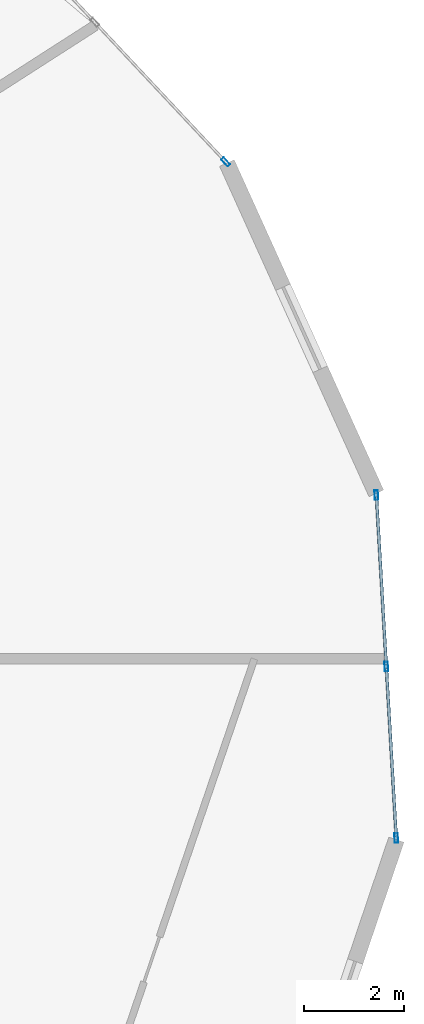
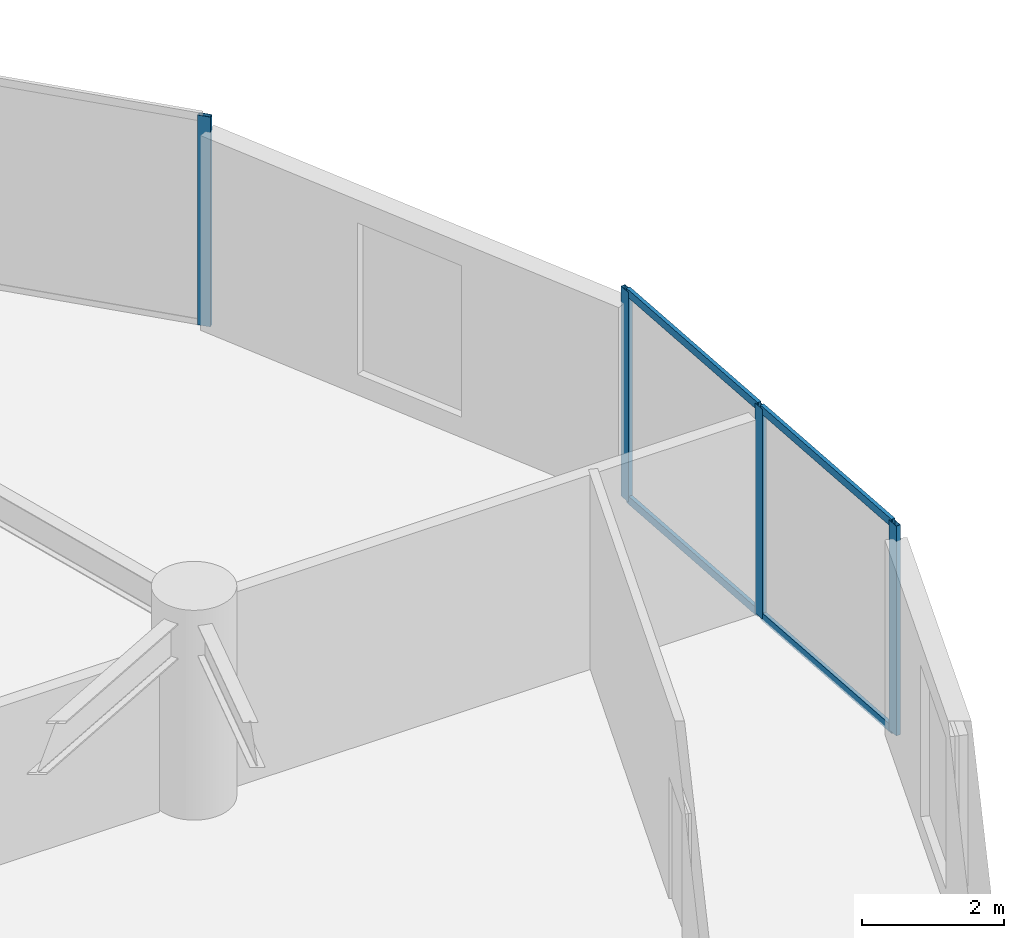
# One storey, part 10 of 23: 8 members, 2 elements without a shape of their own.
"""IFC4 building model written with IfcOpenShell, lengths in metres."""

import ifcopenshell
import ifcopenshell.guid

model = None  # the IFC model being written
_history = None  # IfcOwnerHistory: only IFC2X3 demands one
_inside = {}  # id of a spatial element -> (the spatial element, [elements in it])
_under = {}  # id of a project, library or spatial element -> (it, [spatial elements below it])
_declared = {}  # id of a project -> (the project, [libraries it declares])
_typed = {}  # id of a type object -> (the type object, [elements of that type])
_made_of = {}  # id of a material, layer set ... -> (it, [elements and type objects made of it])


def new_model(schema):
    """Start an empty IFC model of exactly this schema.

    Asked for "IFC4X3", IfcOpenShell would pick the latest addendum, in which some entities
    have other attributes; the version numbers below select the first issue.
    IFC2X3 requires an IfcOwnerHistory on every rooted entity: one is made here for all.
    """
    global model, _history
    if schema == "IFC4X3":
        model = ifcopenshell.file(schema_version=(4, 3, 0, 0))
    else:
        model = ifcopenshell.file(schema=schema)
    _inside.clear()
    _under.clear()
    _declared.clear()
    _typed.clear()
    _made_of.clear()
    _history = None
    if model.schema == "IFC2X3":
        org = make("IfcOrganization", Name="unknown")
        user = make(
            "IfcPersonAndOrganization",
            ThePerson=make("IfcPerson", FamilyName="unknown"),
            TheOrganization=org,
        )
        app = make(
            "IfcApplication",
            ApplicationDeveloper=org,
            Version="unknown",
            ApplicationFullName="unknown",
            ApplicationIdentifier="unknown",
        )
        _history = make(
            "IfcOwnerHistory",
            OwningUser=user,
            OwningApplication=app,
            ChangeAction="ADDED",
            CreationDate=0,
        )
    return model


def make(cls, **values):
    """One entity of the class cls with the attributes given. An attribute that is None is left unset."""
    return model.create_entity(
        cls, **{name: value for name, value in values.items() if value is not None}
    )


def rooted(cls, **values):
    """An entity with a GlobalId (a new one), such as an element, a storey or a relation."""
    return make(cls, GlobalId=ifcopenshell.guid.new(), OwnerHistory=_history, **values)


def si_unit(unit_type, name, prefix=None):
    """IfcSIUnit, for example si_unit("LENGTHUNIT", "METRE", prefix="MILLI")."""
    return make("IfcSIUnit", UnitType=unit_type, Prefix=prefix, Name=name)


def assignment(units):
    """IfcUnitAssignment: the units of a project."""
    return None if units is None else make("IfcUnitAssignment", Units=units)


def point(xyz):
    """IfcCartesianPoint."""
    return None if xyz is None else make("IfcCartesianPoint", Coordinates=xyz)


def direction(xyz):
    """IfcDirection."""
    return None if xyz is None else make("IfcDirection", DirectionRatios=xyz)


def frame(location, z_axis=None, x_axis=None):
    """IfcAxis2Placement3D, a coordinate frame: its origin and axes. An axis left out is left unset."""
    return make(
        "IfcAxis2Placement3D",
        Location=point(location),
        Axis=direction(z_axis),
        RefDirection=direction(x_axis),
    )


def frame_2d(location, x_axis=None):
    """IfcAxis2Placement2D, a coordinate frame in the plane: its origin and x axis."""
    return make(
        "IfcAxis2Placement2D", Location=point(location), RefDirection=direction(x_axis)
    )


def origin():
    """The frame at (0, 0, 0) with its axes left unset."""
    return frame((0.0, 0.0, 0.0))


def origin_2d():
    """The frame at (0, 0) in the plane with its x axis left unset."""
    return frame_2d((0.0, 0.0))


def place(relative_to, where):
    """IfcLocalPlacement: puts the frame where relative to a parent placement (None: the world)."""
    return make(
        "IfcLocalPlacement", PlacementRelTo=relative_to, RelativePlacement=where
    )


def context(
    kind, dimensions, precision=None, world=None, true_north=None, identifier=None
):
    """IfcGeometricRepresentationContext, for example the 3D "Model" context."""
    return make(
        "IfcGeometricRepresentationContext",
        ContextIdentifier=identifier,
        ContextType=kind,
        CoordinateSpaceDimension=dimensions,
        Precision=precision,
        WorldCoordinateSystem=world,
        TrueNorth=true_north,
    )


def subcontext(parent, identifier, kind, view, scale=None):
    """IfcGeometricRepresentationSubContext, for example "Body" below "Model"."""
    return make(
        "IfcGeometricRepresentationSubContext",
        ContextIdentifier=identifier,
        ContextType=kind,
        ParentContext=parent,
        TargetScale=scale,
        TargetView=view,
    )


def project(units=None, contexts=None):
    """IfcProject with its units and contexts."""
    return rooted(
        "IfcProject",
        Name="project",
        RepresentationContexts=contexts,
        UnitsInContext=assignment(units),
    )


def spatial(cls, under=None, at=None, **own):
    """A site, building, storey or space (cls), placed at a placement, below another one or the project."""
    s = rooted(cls, ObjectPlacement=at, **own)
    if under is not None:
        _under.setdefault(under.id(), (under, []))[1].append(s)
    return s


def profile(cls, at=None, kind="AREA", **sizes):
    """A parametric profile (cls). Its sizes go by their IFC names, for example OverallWidth=200.0."""
    return make(cls, ProfileType=kind, Position=at, **sizes)


def hollow_rectangle(**sizes):
    """IfcRectangleHollowProfileDef."""
    return profile("IfcRectangleHollowProfileDef", **sizes)


def extrude(swept, where, along, depth):
    """IfcExtrudedAreaSolid: the profile swept, set in the frame where, extruded along a direction by depth."""
    return make(
        "IfcExtrudedAreaSolid",
        SweptArea=swept,
        Position=where,
        ExtrudedDirection=direction(along),
        Depth=depth,
    )


def shape(context_of_items, identifier, shape_type, items):
    """IfcShapeRepresentation: the items that make up one representation, for example the "Body"."""
    return make(
        "IfcShapeRepresentation",
        ContextOfItems=context_of_items,
        RepresentationIdentifier=identifier,
        RepresentationType=shape_type,
        Items=items,
    )


def source(mapping_origin, context_of_items, identifier, shape_type, items):
    """IfcRepresentationMap: a shape defined once, which mapped items show again and again."""
    return make(
        "IfcRepresentationMap",
        MappingOrigin=mapping_origin,
        MappedRepresentation=shape(context_of_items, identifier, shape_type, items),
    )


def transform(
    local_origin,
    x_axis=None,
    y_axis=None,
    z_axis=None,
    scale=None,
    scale2=None,
    scale3=None,
    uniform=True,
):
    """IfcCartesianTransformationOperator3D, or its non-uniform kind. x_axis, y_axis, z_axis: its Axis1, 2, 3."""
    if uniform:
        return make(
            "IfcCartesianTransformationOperator3D",
            Axis1=direction(x_axis),
            Axis2=direction(y_axis),
            LocalOrigin=point(local_origin),
            Scale=scale,
            Axis3=direction(z_axis),
        )
    return make(
        "IfcCartesianTransformationOperator3DnonUniform",
        Axis1=direction(x_axis),
        Axis2=direction(y_axis),
        LocalOrigin=point(local_origin),
        Scale=scale,
        Axis3=direction(z_axis),
        Scale2=scale2,
        Scale3=scale3,
    )


def mapped(mapping_source, mapping_target):
    """IfcMappedItem: shows the shape of a source again, moved by a transform."""
    return make(
        "IfcMappedItem", MappingSource=mapping_source, MappingTarget=mapping_target
    )


def material(Name=None, Category=None):
    """IfcMaterial."""
    return make("IfcMaterial", Name=Name, Category=Category)


def layer(
    of_material, thickness, ventilated=None, Name=None, Category=None, Priority=None
):
    """IfcMaterialLayer: one layer of a wall or slab, of a material (None: an air gap)."""
    return make(
        "IfcMaterialLayer",
        Material=of_material,
        LayerThickness=thickness,
        IsVentilated=ventilated,
        Name=Name,
        Category=Category,
        Priority=Priority,
    )


def layer_set(layers, Name=None):
    """IfcMaterialLayerSet."""
    return make("IfcMaterialLayerSet", MaterialLayers=layers, LayerSetName=Name)


def material_profile(
    of_material, cross_section, Name=None, Category=None, Priority=None
):
    """IfcMaterialProfile: a cross section and its material."""
    return make(
        "IfcMaterialProfile",
        Name=Name,
        Material=of_material,
        Profile=cross_section,
        Priority=Priority,
        Category=Category,
    )


def profile_set(profiles, Name=None, composite=None):
    """IfcMaterialProfileSet."""
    return make(
        "IfcMaterialProfileSet",
        Name=Name,
        MaterialProfiles=profiles,
        CompositeProfile=composite,
    )


def made_of(thing, what):
    """Note that an element or type object is made of a material, layer set ...; save() writes the relation."""
    if what is not None:
        _made_of.setdefault(what.id(), (what, []))[1].append(thing)
    return thing


def type_object(cls, material=None, **own):
    """A type object (cls), such as IfcWallType, which elements share."""
    return made_of(rooted(cls, **own), material)


def element(
    cls,
    number,
    at=None,
    inside=None,
    cuts=None,
    type_object=None,
    material=None,
    context=None,
    identifier="Body",
    shape_type=None,
    held_by="IfcProductDefinitionShape",
    body=None,
    shapes=None,
    **own,
):
    """One element of the class cls, such as IfcWall. Its Tag is "e" and its number.

    at: its placement. inside: the storey or other place that contains it. cuts: it is an
    opening in that element (IfcRelVoidsElement). A single representation is given by context,
    identifier, shape_type and body (its items); several are given by shapes. held_by: the class
    of the entity that holds the representations. save() writes the other relations.
    """
    e = rooted(cls, Tag="e%d" % number, ObjectPlacement=at, **own)
    if body is not None:
        shapes = [shape(context, identifier, shape_type, body)]
    if shapes is not None:
        e.Representation = make(held_by, Representations=shapes)
    if inside is not None:
        _inside.setdefault(inside.id(), (inside, []))[1].append(e)
    if cuts is not None:
        rooted(
            "IfcRelVoidsElement", RelatingBuildingElement=cuts, RelatedOpeningElement=e
        )
    if type_object is not None:
        _typed.setdefault(type_object.id(), (type_object, []))[1].append(e)
    return made_of(e, material)


def aggregate(whole, parts):
    """IfcRelAggregates: a whole, such as a stair, and the parts it consists of."""
    return rooted("IfcRelAggregates", RelatingObject=whole, RelatedObjects=parts)


def save(model, path):
    """Write the relations noted so far, then the file.

    IfcRelAggregates (storeys below a building ...), IfcRelContainedInSpatialStructure (elements
    in a storey), IfcRelDefinesByType, IfcRelAssociatesMaterial and IfcRelDeclares: one each for
    every whole, place, type object, material and project.
    """
    for whole, parts in _under.values():
        aggregate(whole, parts)
    for where, things in _inside.values():
        rooted(
            "IfcRelContainedInSpatialStructure",
            RelatedElements=things,
            RelatingStructure=where,
        )
    for kind, things in _typed.values():
        rooted("IfcRelDefinesByType", RelatedObjects=things, RelatingType=kind)
    for what, things in _made_of.values():
        rooted("IfcRelAssociatesMaterial", RelatedObjects=things, RelatingMaterial=what)
    for by, libraries in _declared.values():
        rooted("IfcRelDeclares", RelatingContext=by, RelatedDefinitions=libraries)
    model.write(path)


model = new_model("IFC4")

# Units and contexts
model_context = context("Model", 3, precision=1e-05, world=origin(), true_north=direction((0.0, 1.0)))
body_context = subcontext(model_context, "Body", "Model", "MODEL_VIEW")
ifc_project = project(units=[si_unit("LENGTHUNIT", "METRE"), si_unit("AREAUNIT", "SQUARE_METRE"), si_unit("VOLUMEUNIT", "CUBIC_METRE"), si_unit("PLANEANGLEUNIT", "RADIAN"), si_unit("MASSUNIT", "GRAM", prefix="KILO")], contexts=[model_context])

# Site, building, storey
site_placement = place(None, origin())
site = spatial("IfcSite", under=ifc_project, at=site_placement, CompositionType="ELEMENT")
building_placement = place(site_placement, origin())
building = spatial("IfcBuilding", under=site, at=building_placement, Name="Solvirekh Grand Hotel", CompositionType="ELEMENT")
storey_placement = place(building_placement, frame((0.0, 0.0, 39.199951171875)))
storey = spatial("IfcBuildingStorey", under=building, at=storey_placement, Name="L08", CompositionType="ELEMENT", Elevation=39.199951171875)

# Curtain wall, members
ifc_material = material(Name="Anodized Bronze Aluminium 6063-T6", Category="aluminium")
ifc_layer = layer(ifc_material, 0.18994140625)
ifc_layer_set = layer_set([ifc_layer], Name="Anodized Bronze Aluminium 6063-T6")
curtain_wall_type = type_object("IfcCurtainWallType", Name="CW_Sys2_LowZoneFlushBronzeCW", PredefinedType="NOTDEFINED", material=ifc_layer_set)
curtain_wall_1_placement = place(storey_placement, origin())
curtain_wall_1 = element("IfcCurtainWall", 1, at=curtain_wall_1_placement, inside=storey, type_object=curtain_wall_type, Name="L08 unitised bronze-glass curtain wall CW-L08-C01", PredefinedType="NOTDEFINED")
ifc_material_profile_1 = material_profile(ifc_material, hollow_rectangle(XDim=0.070068359375, YDim=0.18994140625, WallThickness=0.0048828125, at=origin_2d()), Name="ALU RHS 190X70X5")
ifc_profile_set_1 = profile_set([ifc_material_profile_1], Name="Anodized Bronze Aluminium 6063-T6")
member_type_1 = type_object("IfcMemberType", Name="CWMullion_Sys2", PredefinedType="MULLION", material=ifc_profile_set_1)
shared_shape_1 = source(origin(), body_context, "Body", "SweptSolid", [
    extrude(hollow_rectangle(XDim=0.070068359375, YDim=0.18994140625, WallThickness=0.0048828125, at=origin_2d()), origin(), (0.0, 0.0, 1.0), 3.60009765625),
])
member_1_placement = place(storey_placement, frame((27.906005859375, -3.572998046875, 0.0), z_axis=(0.0, 0.0, 1.0), x_axis=(-0.998322331982, -0.057900962564, 0.0)))
member_1 = element("IfcMember", 2, at=member_1_placement, type_object=member_type_1, Name="U02 mullion 1", PredefinedType="MULLION", context=body_context, shape_type="MappedRepresentation", body=[
    mapped(shared_shape_1, transform((0.0, 0.0, 0.0), x_axis=(1.0, 0.0, 0.0), y_axis=(0.0, 1.0, 0.0), z_axis=(0.0, 0.0, 1.0), scale=1.0)),
])
member_2_placement = place(storey_placement, frame((27.70751953125, -0.15087890625, 0.0), z_axis=(0.0, 0.0, 1.0), x_axis=(-0.998322331982, -0.057900962564, 0.0)))
member_2 = element("IfcMember", 3, at=member_2_placement, type_object=member_type_1, Name="U02 mullion 2", PredefinedType="MULLION", context=body_context, shape_type="MappedRepresentation", body=[
    mapped(shared_shape_1, transform((0.0, 0.0, 0.0), x_axis=(1.0, 0.0, 0.0), y_axis=(0.0, 1.0, 0.0), z_axis=(0.0, 0.0, 1.0), scale=1.0)),
])
member_3_placement = place(storey_placement, frame((27.509033203125, 3.27099609375, 0.0), z_axis=(0.0, 0.0, 1.0), x_axis=(-0.998322331982, -0.057900962564, 0.0)))
member_3 = element("IfcMember", 4, at=member_3_placement, type_object=member_type_1, Name="U02 mullion 3", PredefinedType="MULLION", context=body_context, shape_type="MappedRepresentation", body=[
    mapped(shared_shape_1, transform((0.0, 0.0, 0.0), x_axis=(1.0, 0.0, 0.0), y_axis=(0.0, 1.0, 0.0), z_axis=(0.0, 0.0, 1.0), scale=1.0)),
])

# Curtain wall, member
curtain_wall_2_placement = place(storey_placement, origin())
curtain_wall_2 = element("IfcCurtainWall", 5, at=curtain_wall_2_placement, inside=storey, type_object=curtain_wall_type, Name="L08 unitised bronze-glass curtain wall CW-L08-C03", PredefinedType="NOTDEFINED")
member_4_placement = place(storey_placement, frame((24.501953125, 9.921630859375, 0.0), z_axis=(0.0, 0.0, 1.0), x_axis=(-0.729577672277, -0.683897960309, 0.0)))
member_4 = element("IfcMember", 6, at=member_4_placement, type_object=member_type_1, Name="U02 mullion 1", PredefinedType="MULLION", context=body_context, shape_type="MappedRepresentation", body=[
    mapped(shared_shape_1, transform((0.0, 0.0, 0.0), x_axis=(1.0, 0.0, 0.0), y_axis=(0.0, 1.0, 0.0), z_axis=(0.0, 0.0, 1.0), scale=1.0)),
])
aggregate(curtain_wall_2, [member_4])

# Member
ifc_material_profile_2 = material_profile(ifc_material, hollow_rectangle(XDim=0.06005859375, YDim=0.135009765625, WallThickness=0.00390625, at=origin_2d()), Name="ALU RHS 135X60X4")
ifc_profile_set_2 = profile_set([ifc_material_profile_2], Name="Anodized Bronze Aluminium 6063-T6")
member_type_2 = type_object("IfcMemberType", Name="CWTransom_Sys2", PredefinedType="USERDEFINED", material=ifc_profile_set_2)
shared_shape_2 = source(origin(), body_context, "Body", "SweptSolid", [
    extrude(hollow_rectangle(XDim=0.06005859375, YDim=0.135009765625, WallThickness=0.00390625, at=origin_2d()), origin(), (0.0, 0.0, 1.0), 3.357666015625),
])
member_5_placement = place(storey_placement, frame((27.904052734375, -3.5380859375, 0.030029296875), z_axis=(-0.057950517621, 0.998319456641, 0.0), x_axis=(-0.998319456641, -0.057950517621, 0.0)))
member_5 = element("IfcMember", 7, at=member_5_placement, type_object=member_type_2, Name="U02 transom 1.1", ObjectType="TRANSOM", PredefinedType="USERDEFINED", context=body_context, shape_type="MappedRepresentation", body=[
    mapped(shared_shape_2, transform((0.0, 0.0, 0.0), x_axis=(1.0, 0.0, 0.0), y_axis=(0.0, 1.0, 0.0), z_axis=(0.0, 0.0, 1.0), scale=1.0)),
])

member_6_placement = place(storey_placement, frame((27.904052734375, -3.5380859375, 3.570068359375), z_axis=(-0.057950517621, 0.998319456641, 0.0), x_axis=(-0.998319456641, -0.057950517621, 0.0)))
member_6 = element("IfcMember", 8, at=member_6_placement, type_object=member_type_2, Name="U02 transom 1.2", ObjectType="TRANSOM", PredefinedType="USERDEFINED", context=body_context, shape_type="MappedRepresentation", body=[
    mapped(shared_shape_2, transform((0.0, 0.0, 0.0), x_axis=(1.0, 0.0, 0.0), y_axis=(0.0, 1.0, 0.0), z_axis=(0.0, 0.0, 1.0), scale=1.0)),
])

member_7_placement = place(storey_placement, frame((27.70556640625, -0.115966796875, 0.030029296875), z_axis=(-0.057950517621, 0.998319456641, 0.0), x_axis=(-0.998319456641, -0.057950517621, 0.0)))
member_7 = element("IfcMember", 9, at=member_7_placement, type_object=member_type_2, Name="U02 transom 2.1", ObjectType="TRANSOM", PredefinedType="USERDEFINED", context=body_context, shape_type="MappedRepresentation", body=[
    mapped(shared_shape_2, transform((0.0, 0.0, 0.0), x_axis=(1.0, 0.0, 0.0), y_axis=(0.0, 1.0, 0.0), z_axis=(0.0, 0.0, 1.0), scale=1.0)),
])

member_8_placement = place(storey_placement, frame((27.70556640625, -0.115966796875, 3.570068359375), z_axis=(-0.057950517621, 0.998319456641, 0.0), x_axis=(-0.998319456641, -0.057950517621, 0.0)))
member_8 = element("IfcMember", 10, at=member_8_placement, type_object=member_type_2, Name="U02 transom 2.2", ObjectType="TRANSOM", PredefinedType="USERDEFINED", context=body_context, shape_type="MappedRepresentation", body=[
    mapped(shared_shape_2, transform((0.0, 0.0, 0.0), x_axis=(1.0, 0.0, 0.0), y_axis=(0.0, 1.0, 0.0), z_axis=(0.0, 0.0, 1.0), scale=1.0)),
])

aggregate(curtain_wall_1, [member_1, member_2, member_3, member_5, member_6, member_7, member_8])

save(model, "model.ifc")
